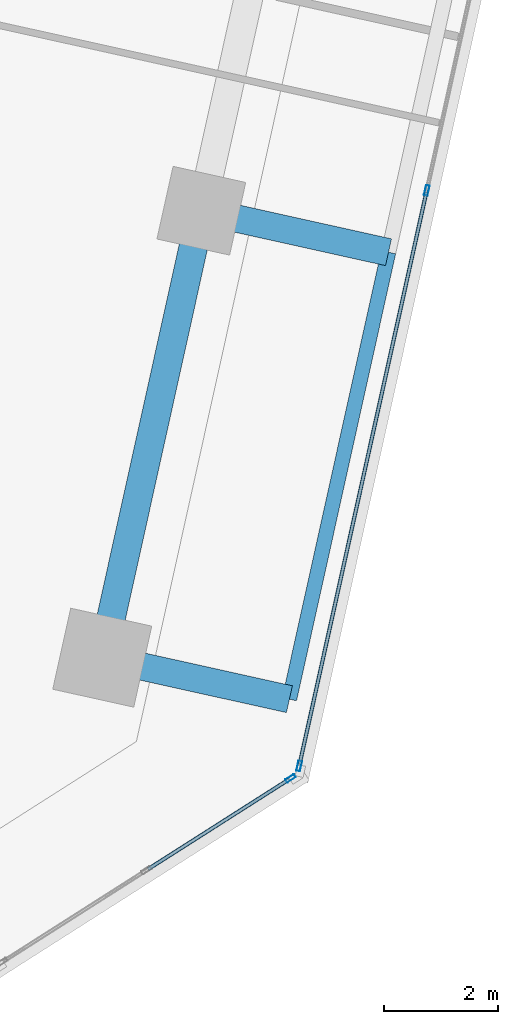
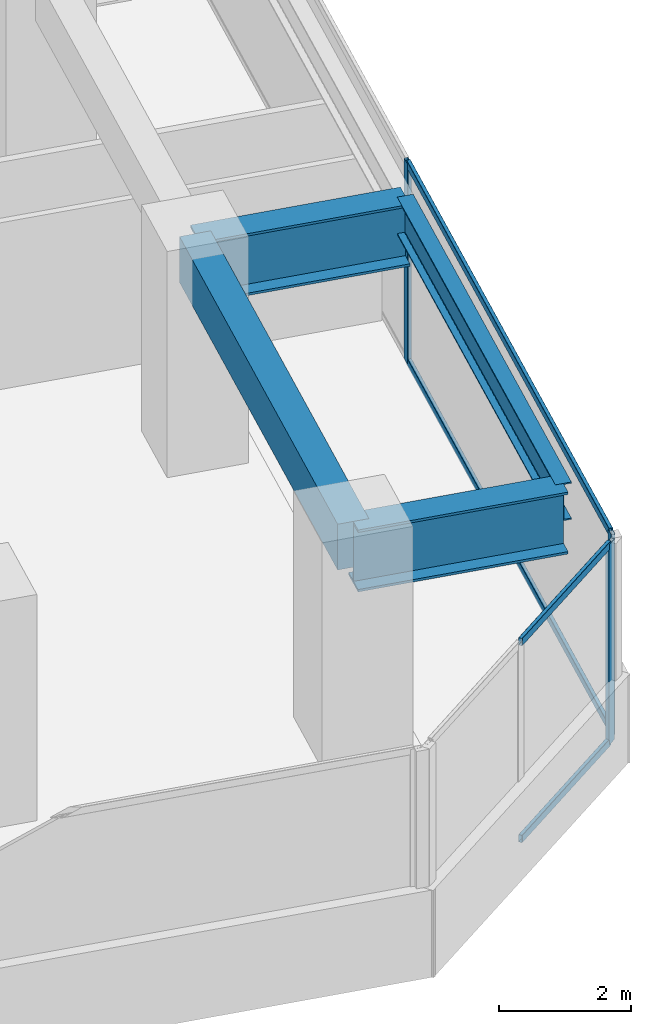
# One storey, part 10 of 25: 7 members, 4 beams, 2 elements without a shape of their own.
"""IFC4 building model written with IfcOpenShell, lengths in metres."""

from ifc_helpers import new_model, si_unit, direction, frame, origin, origin_2d, place, context, subcontext, project, spatial, rectangle, hollow_rectangle, i_section, extrude, source, transform, mapped, material, material_profile, profile_set, type_object, element, aggregate, save


model = new_model("IFC4")

# Units and contexts
model_context = context("Model", 3, precision=1e-05, world=origin(), true_north=direction((0.0, 1.0)))
body_context = subcontext(model_context, "Body", "Model", "MODEL_VIEW")
ifc_project = project(units=[si_unit("LENGTHUNIT", "METRE"), si_unit("AREAUNIT", "SQUARE_METRE"), si_unit("VOLUMEUNIT", "CUBIC_METRE"), si_unit("PLANEANGLEUNIT", "RADIAN"), si_unit("MASSUNIT", "GRAM", prefix="KILO")], contexts=[model_context])

# Site, building, storey
site_placement = place(None, origin())
site = spatial("IfcSite", under=ifc_project, at=site_placement, CompositionType="ELEMENT")
building_placement = place(site_placement, origin())
building = spatial("IfcBuilding", under=site, at=building_placement, Name="Torre Montelarca", CompositionType="ELEMENT")
storey_placement = place(building_placement, frame((0.0, 0.0, 87.39990234375)))
storey = spatial("IfcBuildingStorey", under=building, at=storey_placement, Name="L19", CompositionType="ELEMENT", Elevation=87.39990234375)

# Beams
ifc_material_1 = material(Name="Concrete C55/67", Category="concrete")
ifc_material_profile_1 = material_profile(ifc_material_1, rectangle(XDim=0.5, YDim=0.85009765625, at=origin_2d()), Name="RCB500X850", Category="concrete")
ifc_profile_set_1 = profile_set([ifc_material_profile_1], Name="Concrete C55/67")
beam_type_1 = type_object("IfcBeamType", Name="BM-SP-RC850-EXT", PredefinedType="SPANDREL", material=ifc_profile_set_1)
shared_shape_1 = source(origin(), body_context, "Body", "SweptSolid", [
    extrude(rectangle(XDim=0.5, YDim=0.85009765625, at=origin_2d()), origin(), (0.0, 0.0, 1.0), 8.0),
])
beam_1_placement = place(storey_placement, frame((57.35595703125, 15.856689453125, 3.53515625), z_axis=(0.216432808664, 0.976297515788, 0.0), x_axis=(-0.976297515788, 0.216432808664, 0.0)))
element("IfcBeam", 1, at=beam_1_placement, inside=storey, type_object=beam_type_1, Name="L19 Grid Girder Y 24.0-32.0 at X=60.0", PredefinedType="SPANDREL", context=body_context, shape_type="MappedRepresentation", body=[
    mapped(shared_shape_1, transform((0.0, 0.0, 0.0), scale=1.0)),
])
ifc_material_2 = material(Name="Steel ASTM A572 Grade 50", Category="steel")
ifc_material_profile_2 = material_profile(ifc_material_2, i_section(OverallWidth=0.47998046875, OverallDepth=1.14990234375, WebThickness=0.02197265625, FlangeThickness=0.044921875, at=origin_2d()), Name="PG1150X480X22X45", Category="steel")
ifc_profile_set_2 = profile_set([ifc_material_profile_2], Name="Steel ASTM A572 Grade 50")
beam_type_2 = type_object("IfcBeamType", Name="BM-CG-PG1400-EXT", PredefinedType="USERDEFINED", material=ifc_profile_set_2)
shared_shape_2 = source(origin(), body_context, "Body", "SweptSolid", [
    extrude(i_section(OverallWidth=0.47998046875, OverallDepth=1.14990234375, WebThickness=0.02197265625, FlangeThickness=0.044921875, at=origin_2d()), origin(), (0.0, 0.0, 1.0), 3.349853515625),
])
for number, where, z_axis, x_axis, name in (
    (2, (57.35595703125, 15.856689453125, 3.385009765625), (0.976293261216, -0.216451999538, 0.0), (0.216451999538, 0.976293261216, 0.0), "L19 Sliding Tray Cantilever Girder East Y=24m (FLR)"),
    (3, (59.08740234375, 23.6669921875, 3.385009765625), (0.976293261216, -0.216451999538, 0.0), (0.216451999538, 0.976293261216, 0.0), "L19 Sliding Tray Cantilever Girder East Y=32m (FLR)"),
):
    element("IfcBeam", number, at=place(storey_placement, frame(where, z_axis=z_axis, x_axis=x_axis)), inside=storey, type_object=beam_type_2, Name=name, ObjectType="CANTILEVER GIRDER", PredefinedType="USERDEFINED", context=body_context, shape_type="MappedRepresentation", body=[
        mapped(shared_shape_2, transform((0.0, 0.0, 0.0), scale=1.0)),
    ])
ifc_material_3 = material(Name="Steel ASTM A992 Grade 50", Category="steel")
ifc_material_profile_3 = material_profile(ifc_material_3, i_section(OverallWidth=0.256103515625, OverallDepth=0.693115234375, WebThickness=0.014404296875, FlangeThickness=0.023681640625, FilletRadius=0.01806640625, at=origin_2d()), Name="W690X170", Category="steel")
ifc_profile_set_3 = profile_set([ifc_material_profile_3], Name="Steel ASTM A992 Grade 50")
beam_type_3 = type_object("IfcBeamType", Name="BM-G-W690-EXT", PredefinedType="BEAM", material=ifc_profile_set_3)
shared_shape_3 = source(origin(), body_context, "Body", "SweptSolid", [
    extrude(i_section(OverallWidth=0.256103515625, OverallDepth=0.693115234375, WebThickness=0.014404296875, FlangeThickness=0.023681640625, FilletRadius=0.01806640625, at=origin_2d()), origin(), (0.0, 0.0, 1.0), 8.0),
])
beam_2_placement = place(storey_placement, frame((60.62646484375, 15.131591796875, 3.614013671875), z_axis=(0.216432808664, 0.976297515788, 0.0), x_axis=(-0.976297515788, 0.216432808664, 0.0)))
element("IfcBeam", 4, at=beam_2_placement, inside=storey, type_object=beam_type_3, Name="L19 Sliding Tray Edge Girder East 24-32m (FLR)", PredefinedType="BEAM", context=body_context, shape_type="MappedRepresentation", body=[
    mapped(shared_shape_3, transform((0.0, 0.0, 0.0), scale=1.0)),
])

# Curtain wall, members
ifc_material_4 = material(Name="Insulated low-E laminated glass", Category="glass")
curtain_wall_type = type_object("IfcCurtainWallType", Name="CW-SYS-Z1", PredefinedType="USERDEFINED", material=ifc_material_4)
curtain_wall_1_placement = place(storey_placement, origin())
curtain_wall_1 = element("IfcCurtainWall", 5, at=curtain_wall_1_placement, inside=storey, type_object=curtain_wall_type, Name="L19 Curtain Wall Run CW-T3-L19-E05-B1", ObjectType="UNITISED GLAZING", PredefinedType="USERDEFINED")
ifc_material_5 = material(Name="Anodised aluminium AA 6063-T6", Category="aluminium")
ifc_material_profile_4 = material_profile(ifc_material_5, hollow_rectangle(XDim=0.06494140625, YDim=0.139892578125, WallThickness=0.00390625, InnerFilletRadius=0.00390625, OuterFilletRadius=0.008056640625, at=origin_2d()), Name="ALU65X140X4", Category="aluminium")
ifc_profile_set_4 = profile_set([ifc_material_profile_4], Name="Anodised aluminium AA 6063-T6")
member_type_1 = type_object("IfcMemberType", Name="CWT-ALU140", PredefinedType="USERDEFINED", material=ifc_profile_set_4)
shared_shape_4 = source(origin(), body_context, "Body", "SweptSolid", [
    extrude(hollow_rectangle(XDim=0.06494140625, YDim=0.139892578125, WallThickness=0.00390625, InnerFilletRadius=0.00390625, OuterFilletRadius=0.008056640625, at=origin_2d()), origin(), (0.0, 0.0, 1.0), 2.918701171875),
])
member_1_placement = place(storey_placement, frame((58.156005859375, 12.160888671875, 0.03271484375), z_axis=(0.843413408768, 0.537265131857, 0.0), x_axis=(-0.537265131857, 0.843413408768, 0.0)))
member_1 = element("IfcMember", 6, at=member_1_placement, type_object=member_type_1, Name="CW transom 2.1", ObjectType="TRANSOM", PredefinedType="USERDEFINED", context=body_context, shape_type="MappedRepresentation", body=[
    mapped(shared_shape_4, transform((0.0, 0.0, 0.0), scale=1.0)),
])
member_2_placement = place(storey_placement, frame((58.156005859375, 12.160888671875, 3.6875), z_axis=(0.843413408768, 0.537265131857, 0.0), x_axis=(-0.537265131857, 0.843413408768, 0.0)))
member_2 = element("IfcMember", 7, at=member_2_placement, type_object=member_type_1, Name="CW transom 2.2", ObjectType="TRANSOM", PredefinedType="USERDEFINED", context=body_context, shape_type="MappedRepresentation", body=[
    mapped(shared_shape_4, transform((0.0, 0.0, 0.0), scale=1.0)),
])

curtain_wall_2_placement = place(storey_placement, origin())
curtain_wall_2 = element("IfcCurtainWall", 8, at=curtain_wall_2_placement, inside=storey, type_object=curtain_wall_type, Name="L19 Curtain Wall Run CW-T3-L19-E06-B1", ObjectType="UNITISED GLAZING", PredefinedType="USERDEFINED")
shared_shape_5 = source(origin(), body_context, "Body", "SweptSolid", [
    extrude(hollow_rectangle(XDim=0.06494140625, YDim=0.139892578125, WallThickness=0.00390625, InnerFilletRadius=0.00390625, OuterFilletRadius=0.008056640625, at=origin_2d()), origin(), (0.0, 0.0, 1.0), 10.23681640625),
])
member_3_placement = place(storey_placement, frame((60.80517578125, 13.996826171875, 0.03271484375), z_axis=(0.216432960018, 0.976297482235, 0.0), x_axis=(-0.976297482235, 0.216432960018, 0.0)))
member_3 = element("IfcMember", 9, at=member_3_placement, type_object=member_type_1, Name="CW transom 1.1", ObjectType="TRANSOM", PredefinedType="USERDEFINED", context=body_context, shape_type="MappedRepresentation", body=[
    mapped(shared_shape_5, transform((0.0, 0.0, 0.0), scale=1.0)),
])
member_4_placement = place(storey_placement, frame((60.80517578125, 13.996826171875, 3.6875), z_axis=(0.216432960018, 0.976297482235, 0.0), x_axis=(-0.976297482235, 0.216432960018, 0.0)))
member_4 = element("IfcMember", 10, at=member_4_placement, type_object=member_type_1, Name="CW transom 1.2", ObjectType="TRANSOM", PredefinedType="USERDEFINED", context=body_context, shape_type="MappedRepresentation", body=[
    mapped(shared_shape_5, transform((0.0, 0.0, 0.0), scale=1.0)),
])

# Member
ifc_material_profile_5 = material_profile(ifc_material_5, hollow_rectangle(XDim=0.06494140625, YDim=0.179931640625, WallThickness=0.00390625, InnerFilletRadius=0.00390625, OuterFilletRadius=0.008056640625, at=origin_2d()), Name="ALU65X180X4", Category="aluminium")
ifc_profile_set_5 = profile_set([ifc_material_profile_5], Name="Anodised aluminium AA 6063-T6")
member_type_2 = type_object("IfcMemberType", Name="CWM-ALU180", PredefinedType="MULLION", material=ifc_profile_set_5)
shared_shape_6 = source(origin(), body_context, "Body", "SweptSolid", [
    extrude(hollow_rectangle(XDim=0.06494140625, YDim=0.179931640625, WallThickness=0.00390625, InnerFilletRadius=0.00390625, OuterFilletRadius=0.008056640625, at=origin_2d()), origin(), (0.0, 0.0, 1.0), 3.72021484375),
])
member_5_placement = place(storey_placement, frame((60.64501953125, 13.74658203125, 0.0), z_axis=(0.0, 0.0, 1.0), x_axis=(-0.537304483117, 0.843388340222, 0.0)))
member_5 = element("IfcMember", 11, at=member_5_placement, type_object=member_type_2, Name="CW mullion 3", PredefinedType="MULLION", context=body_context, shape_type="MappedRepresentation", body=[
    mapped(shared_shape_6, transform((0.0, 0.0, 0.0), scale=1.0)),
])

aggregate(curtain_wall_1, [member_5, member_1, member_2])

member_6_placement = place(storey_placement, frame((60.798095703125, 13.965087890625, 0.0), z_axis=(0.0, 0.0, 1.0), x_axis=(-0.976295656956, 0.216441193422, 0.0)))
member_6 = element("IfcMember", 12, at=member_6_placement, type_object=member_type_2, Name="CW mullion 1", PredefinedType="MULLION", context=body_context, shape_type="MappedRepresentation", body=[
    mapped(shared_shape_6, transform((0.0, 0.0, 0.0), scale=1.0)),
])

member_7_placement = place(storey_placement, frame((63.02783203125, 24.022705078125, 0.0), z_axis=(0.0, 0.0, 1.0), x_axis=(-0.976295656956, 0.216441193422, 0.0)))
member_7 = element("IfcMember", 13, at=member_7_placement, type_object=member_type_2, Name="CW mullion 2", PredefinedType="MULLION", context=body_context, shape_type="MappedRepresentation", body=[
    mapped(shared_shape_6, transform((0.0, 0.0, 0.0), scale=1.0)),
])

aggregate(curtain_wall_2, [member_6, member_7, member_3, member_4])

save(model, "model.ifc")
